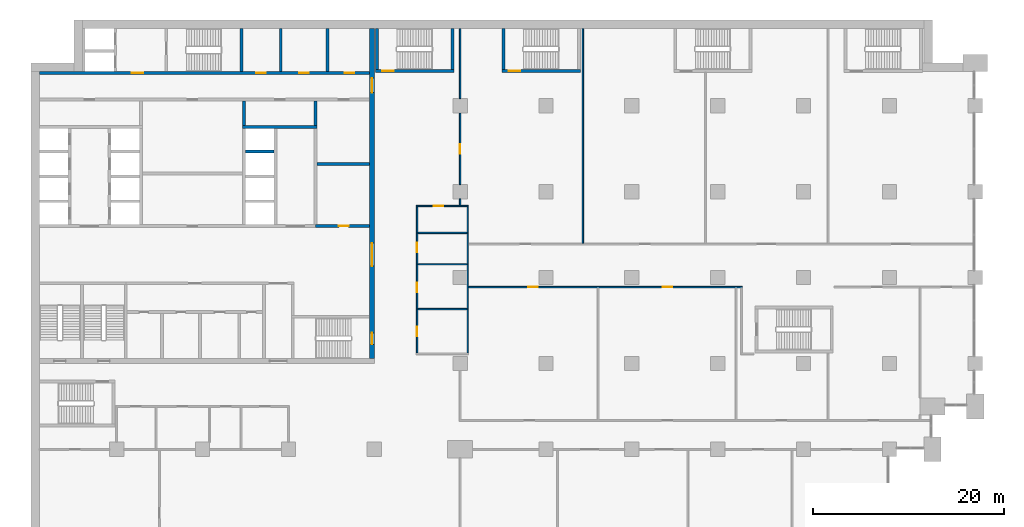
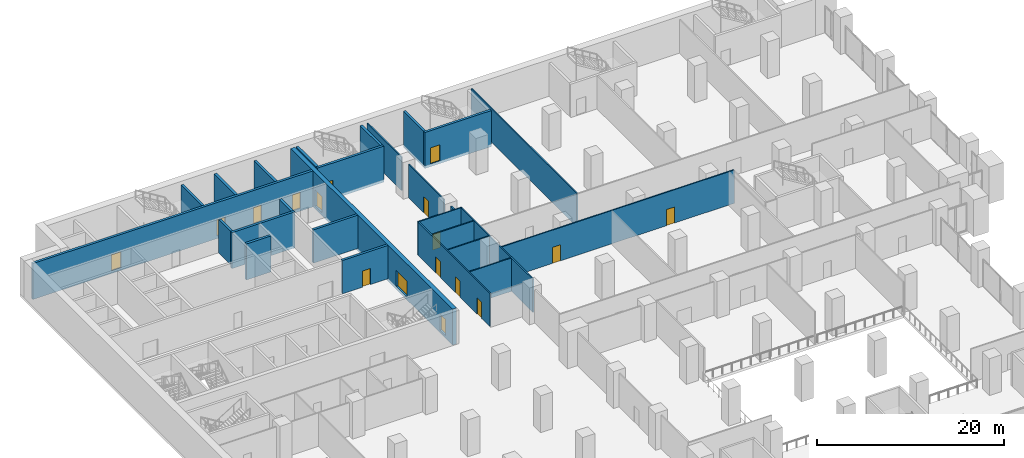
# One storey, part 17 of 32: 27 walls, 17 doors, 17 openings.
"""IFC4 building model written with IfcOpenShell, lengths in metres."""

import ifcopenshell
import ifcopenshell.guid

model = None  # the IFC model being written
_history = None  # IfcOwnerHistory: only IFC2X3 demands one
_inside = {}  # id of a spatial element -> (the spatial element, [elements in it])
_under = {}  # id of a project, library or spatial element -> (it, [spatial elements below it])
_declared = {}  # id of a project -> (the project, [libraries it declares])
_typed = {}  # id of a type object -> (the type object, [elements of that type])
_made_of = {}  # id of a material, layer set ... -> (it, [elements and type objects made of it])


def new_model(schema):
    """Start an empty IFC model of exactly this schema.

    Asked for "IFC4X3", IfcOpenShell would pick the latest addendum, in which some entities
    have other attributes; the version numbers below select the first issue.
    IFC2X3 requires an IfcOwnerHistory on every rooted entity: one is made here for all.
    """
    global model, _history
    if schema == "IFC4X3":
        model = ifcopenshell.file(schema_version=(4, 3, 0, 0))
    else:
        model = ifcopenshell.file(schema=schema)
    _inside.clear()
    _under.clear()
    _declared.clear()
    _typed.clear()
    _made_of.clear()
    _history = None
    if model.schema == "IFC2X3":
        org = make("IfcOrganization", Name="unknown")
        user = make(
            "IfcPersonAndOrganization",
            ThePerson=make("IfcPerson", FamilyName="unknown"),
            TheOrganization=org,
        )
        app = make(
            "IfcApplication",
            ApplicationDeveloper=org,
            Version="unknown",
            ApplicationFullName="unknown",
            ApplicationIdentifier="unknown",
        )
        _history = make(
            "IfcOwnerHistory",
            OwningUser=user,
            OwningApplication=app,
            ChangeAction="ADDED",
            CreationDate=0,
        )
    return model


def make(cls, **values):
    """One entity of the class cls with the attributes given. An attribute that is None is left unset."""
    return model.create_entity(
        cls, **{name: value for name, value in values.items() if value is not None}
    )


def rooted(cls, **values):
    """An entity with a GlobalId (a new one), such as an element, a storey or a relation."""
    return make(cls, GlobalId=ifcopenshell.guid.new(), OwnerHistory=_history, **values)


def si_unit(unit_type, name, prefix=None):
    """IfcSIUnit, for example si_unit("LENGTHUNIT", "METRE", prefix="MILLI")."""
    return make("IfcSIUnit", UnitType=unit_type, Prefix=prefix, Name=name)


def assignment(units):
    """IfcUnitAssignment: the units of a project."""
    return None if units is None else make("IfcUnitAssignment", Units=units)


def point(xyz):
    """IfcCartesianPoint."""
    return None if xyz is None else make("IfcCartesianPoint", Coordinates=xyz)


def direction(xyz):
    """IfcDirection."""
    return None if xyz is None else make("IfcDirection", DirectionRatios=xyz)


def frame(location, z_axis=None, x_axis=None):
    """IfcAxis2Placement3D, a coordinate frame: its origin and axes. An axis left out is left unset."""
    return make(
        "IfcAxis2Placement3D",
        Location=point(location),
        Axis=direction(z_axis),
        RefDirection=direction(x_axis),
    )


def frame_2d(location, x_axis=None):
    """IfcAxis2Placement2D, a coordinate frame in the plane: its origin and x axis."""
    return make(
        "IfcAxis2Placement2D", Location=point(location), RefDirection=direction(x_axis)
    )


def origin():
    """The frame at (0, 0, 0) with its axes left unset."""
    return frame((0.0, 0.0, 0.0))


def place(relative_to, where):
    """IfcLocalPlacement: puts the frame where relative to a parent placement (None: the world)."""
    return make(
        "IfcLocalPlacement", PlacementRelTo=relative_to, RelativePlacement=where
    )


def context(
    kind, dimensions, precision=None, world=None, true_north=None, identifier=None
):
    """IfcGeometricRepresentationContext, for example the 3D "Model" context."""
    return make(
        "IfcGeometricRepresentationContext",
        ContextIdentifier=identifier,
        ContextType=kind,
        CoordinateSpaceDimension=dimensions,
        Precision=precision,
        WorldCoordinateSystem=world,
        TrueNorth=true_north,
    )


def subcontext(parent, identifier, kind, view, scale=None):
    """IfcGeometricRepresentationSubContext, for example "Body" below "Model"."""
    return make(
        "IfcGeometricRepresentationSubContext",
        ContextIdentifier=identifier,
        ContextType=kind,
        ParentContext=parent,
        TargetScale=scale,
        TargetView=view,
    )


def project(units=None, contexts=None):
    """IfcProject with its units and contexts."""
    return rooted(
        "IfcProject",
        Name="project",
        RepresentationContexts=contexts,
        UnitsInContext=assignment(units),
    )


def spatial(cls, under=None, at=None, **own):
    """A site, building, storey or space (cls), placed at a placement, below another one or the project."""
    s = rooted(cls, ObjectPlacement=at, **own)
    if under is not None:
        _under.setdefault(under.id(), (under, []))[1].append(s)
    return s


def profile(cls, at=None, kind="AREA", **sizes):
    """A parametric profile (cls). Its sizes go by their IFC names, for example OverallWidth=200.0."""
    return make(cls, ProfileType=kind, Position=at, **sizes)


def rectangle(**sizes):
    """IfcRectangleProfileDef."""
    return profile("IfcRectangleProfileDef", **sizes)


def extrude(swept, where, along, depth):
    """IfcExtrudedAreaSolid: the profile swept, set in the frame where, extruded along a direction by depth."""
    return make(
        "IfcExtrudedAreaSolid",
        SweptArea=swept,
        Position=where,
        ExtrudedDirection=direction(along),
        Depth=depth,
    )


def shape(context_of_items, identifier, shape_type, items):
    """IfcShapeRepresentation: the items that make up one representation, for example the "Body"."""
    return make(
        "IfcShapeRepresentation",
        ContextOfItems=context_of_items,
        RepresentationIdentifier=identifier,
        RepresentationType=shape_type,
        Items=items,
    )


def material(Name=None, Category=None):
    """IfcMaterial."""
    return make("IfcMaterial", Name=Name, Category=Category)


def layer(
    of_material, thickness, ventilated=None, Name=None, Category=None, Priority=None
):
    """IfcMaterialLayer: one layer of a wall or slab, of a material (None: an air gap)."""
    return make(
        "IfcMaterialLayer",
        Material=of_material,
        LayerThickness=thickness,
        IsVentilated=ventilated,
        Name=Name,
        Category=Category,
        Priority=Priority,
    )


def layer_set(layers, Name=None):
    """IfcMaterialLayerSet."""
    return make("IfcMaterialLayerSet", MaterialLayers=layers, LayerSetName=Name)


def made_of(thing, what):
    """Note that an element or type object is made of a material, layer set ...; save() writes the relation."""
    if what is not None:
        _made_of.setdefault(what.id(), (what, []))[1].append(thing)
    return thing


def type_object(cls, material=None, **own):
    """A type object (cls), such as IfcWallType, which elements share."""
    return made_of(rooted(cls, **own), material)


def element(
    cls,
    number,
    at=None,
    inside=None,
    cuts=None,
    type_object=None,
    material=None,
    context=None,
    identifier="Body",
    shape_type=None,
    held_by="IfcProductDefinitionShape",
    body=None,
    shapes=None,
    **own,
):
    """One element of the class cls, such as IfcWall. Its Tag is "e" and its number.

    at: its placement. inside: the storey or other place that contains it. cuts: it is an
    opening in that element (IfcRelVoidsElement). A single representation is given by context,
    identifier, shape_type and body (its items); several are given by shapes. held_by: the class
    of the entity that holds the representations. save() writes the other relations.
    """
    e = rooted(cls, Tag="e%d" % number, ObjectPlacement=at, **own)
    if body is not None:
        shapes = [shape(context, identifier, shape_type, body)]
    if shapes is not None:
        e.Representation = make(held_by, Representations=shapes)
    if inside is not None:
        _inside.setdefault(inside.id(), (inside, []))[1].append(e)
    if cuts is not None:
        rooted(
            "IfcRelVoidsElement", RelatingBuildingElement=cuts, RelatedOpeningElement=e
        )
    if type_object is not None:
        _typed.setdefault(type_object.id(), (type_object, []))[1].append(e)
    return made_of(e, material)


def fill(opening, filler):
    """IfcRelFillsElement: the door or window that sits in an opening."""
    return rooted(
        "IfcRelFillsElement",
        RelatingOpeningElement=opening,
        RelatedBuildingElement=filler,
    )


def aggregate(whole, parts):
    """IfcRelAggregates: a whole, such as a stair, and the parts it consists of."""
    return rooted("IfcRelAggregates", RelatingObject=whole, RelatedObjects=parts)


def save(model, path):
    """Write the relations noted so far, then the file.

    IfcRelAggregates (storeys below a building ...), IfcRelContainedInSpatialStructure (elements
    in a storey), IfcRelDefinesByType, IfcRelAssociatesMaterial and IfcRelDeclares: one each for
    every whole, place, type object, material and project.
    """
    for whole, parts in _under.values():
        aggregate(whole, parts)
    for where, things in _inside.values():
        rooted(
            "IfcRelContainedInSpatialStructure",
            RelatedElements=things,
            RelatingStructure=where,
        )
    for kind, things in _typed.values():
        rooted("IfcRelDefinesByType", RelatedObjects=things, RelatingType=kind)
    for what, things in _made_of.values():
        rooted("IfcRelAssociatesMaterial", RelatedObjects=things, RelatingMaterial=what)
    for by, libraries in _declared.values():
        rooted("IfcRelDeclares", RelatingContext=by, RelatedDefinitions=libraries)
    model.write(path)


model = new_model("IFC4")

# Units and contexts
model_context = context("Model", 3, precision=1e-05, world=origin(), true_north=direction((0.0, 1.0)))
body_context = subcontext(model_context, "Body", "Model", "MODEL_VIEW")
ifc_project = project(units=[si_unit("LENGTHUNIT", "METRE"), si_unit("AREAUNIT", "SQUARE_METRE"), si_unit("VOLUMEUNIT", "CUBIC_METRE"), si_unit("PLANEANGLEUNIT", "RADIAN"), si_unit("MASSUNIT", "GRAM", prefix="KILO")], contexts=[model_context])

# Site, building, storey
site_placement = place(None, origin())
site = spatial("IfcSite", under=ifc_project, at=site_placement, CompositionType="ELEMENT")
building_placement = place(site_placement, origin())
building = spatial("IfcBuilding", under=site, at=building_placement, Name="Hunhe Ridgeline Campus", CompositionType="ELEMENT")
storey_placement = place(building_placement, frame((0.0, 0.0, 26.39990234375)))
storey = spatial("IfcBuildingStorey", under=building, at=storey_placement, Name="L05", CompositionType="ELEMENT", Elevation=26.39990234375)

# Walls
ifc_material_1 = material(Name="Plastered blockwork", Category="masonry")
ifc_layer_1 = layer(ifc_material_1, 0.14990234375)
ifc_layer_set_1 = layer_set([ifc_layer_1], Name="Blockwork partition 150")
wall_type_1 = type_object("IfcWallType", Name="Blockwork partition 150", PredefinedType="PARTITIONING", material=ifc_layer_set_1)
wall_1_placement = place(storey_placement, frame((40.574951171875, 68.697021484375, 0.0), z_axis=(0.0, 0.0, 1.0), x_axis=(1.0, 0.0, 0.0)))
element("IfcWall", 1, at=wall_1_placement, inside=storey, type_object=wall_type_1, Name="L05 partition", PredefinedType="PARTITIONING", context=body_context, shape_type="SweptSolid", body=[
    extrude(rectangle(XDim=5.150146484375, YDim=0.14990234375, at=frame_2d((2.5751953125, 0.0))), origin(), (0.0, 0.0, 1.0), 4.35009765625),
])
wall_2_placement = place(storey_placement, frame((45.800048828125, 79.425048828125, 0.0), z_axis=(0.0, 0.0, 1.0), x_axis=(0.0, -1.0, 0.0)))
element("IfcWall", 2, at=wall_2_placement, inside=storey, type_object=wall_type_1, Name="L05 partition", PredefinedType="PARTITIONING", context=body_context, shape_type="SweptSolid", body=[
    extrude(rectangle(XDim=15.35009765625, YDim=0.14990234375, at=frame_2d((7.675048828125, 0.0))), origin(), (0.0, 0.0, 1.0), 4.35009765625),
])

# Wall, openings, doors
wall_3_placement = place(storey_placement, frame((40.5, 64.074951171875, 0.0), z_axis=(0.0, 0.0, 1.0), x_axis=(0.0, 1.0, 0.0)))
wall_3 = element("IfcWall", 3, at=wall_3_placement, inside=storey, type_object=wall_type_1, Name="L05 partition", PredefinedType="PARTITIONING", context=body_context, shape_type="SweptSolid", body=[
    extrude(rectangle(XDim=15.35009765625, YDim=0.14990234375, at=frame_2d((7.675048828125, 0.0))), origin(), (0.0, 0.0, 1.0), 4.35009765625),
])
opening_1_placement = place(wall_3_placement, frame((1.75, 0.0, 0.0)))
opening_1 = element("IfcOpeningElement", 4, at=opening_1_placement, cuts=wall_3, Name="Opening PD604", PredefinedType="OPENING", context=body_context, shape_type="SweptSolid", body=[
    extrude(rectangle(XDim=1.0, YDim=2.10009765625, at=frame_2d((0.5, 1.050048828125))), frame((0.0, 0.074951171875, 0.0), z_axis=(0.0, -1.0, 0.0), x_axis=(1.0, 0.0, 0.0)), (0.0, 0.0, 1.0), 0.14990234375),
])
opening_2_placement = place(wall_3_placement, frame((6.3720703125, 0.0, 0.0)))
opening_2 = element("IfcOpeningElement", 5, at=opening_2_placement, cuts=wall_3, Name="Opening PD605", PredefinedType="OPENING", context=body_context, shape_type="SweptSolid", body=[
    extrude(rectangle(XDim=1.0, YDim=2.10009765625, at=frame_2d((0.5, 1.050048828125))), frame((0.0, 0.074951171875, 0.0), z_axis=(0.0, -1.0, 0.0), x_axis=(1.0, 0.0, 0.0)), (0.0, 0.0, 1.0), 0.14990234375),
])
opening_3_placement = place(wall_3_placement, frame((10.569091796875, 0.0, 0.0)))
opening_3 = element("IfcOpeningElement", 6, at=opening_3_placement, cuts=wall_3, Name="Opening PD606", PredefinedType="OPENING", context=body_context, shape_type="SweptSolid", body=[
    extrude(rectangle(XDim=1.0, YDim=2.10009765625, at=frame_2d((0.5, 1.050048828125))), frame((0.0, 0.074951171875, 0.0), z_axis=(0.0, -1.0, 0.0), x_axis=(1.0, 0.0, 0.0)), (0.0, 0.0, 1.0), 0.14990234375),
])
ifc_material_2 = material(Name="Timber", Category="wood")
door_type_1 = type_object("IfcDoorType", Name="Podium accessible WC door 1000x2100", OperationType="NOTDEFINED", PredefinedType="DOOR", material=ifc_material_2)
door_1_placement = place(opening_3_placement, origin())
door_1 = element("IfcDoor", 7, at=door_1_placement, inside=storey, type_object=door_type_1, Name="Accessible WC door", OperationType="SINGLE_SWING_RIGHT", OverallHeight=2.10009765625, OverallWidth=1.0, PredefinedType="DOOR", context=body_context, shape_type="SweptSolid", body=[
    extrude(rectangle(XDim=1.0, YDim=2.10009765625, at=frame_2d((0.5, 1.050048828125))), frame((0.0, 0.02490234375, 0.0), z_axis=(0.0, -1.0, 0.0), x_axis=(1.0, 0.0, 0.0)), (0.0, 0.0, 1.0), 0.050048828125),
])
fill(opening_3, door_1)
door_type_2 = type_object("IfcDoorType", Name="Podium timber door 1000x2100", OperationType="NOTDEFINED", PredefinedType="DOOR", material=ifc_material_2)
door_2_placement = place(opening_1_placement, origin())
door_2 = element("IfcDoor", 8, at=door_2_placement, inside=storey, type_object=door_type_2, Name="Men WC door", OperationType="SINGLE_SWING_LEFT", OverallHeight=2.10009765625, OverallWidth=1.0, PredefinedType="DOOR", context=body_context, shape_type="SweptSolid", body=[
    extrude(rectangle(XDim=1.0, YDim=2.10009765625, at=frame_2d((0.5, 1.050048828125))), frame((0.0, 0.02490234375, 0.0), z_axis=(0.0, -1.0, 0.0), x_axis=(1.0, 0.0, 0.0)), (0.0, 0.0, 1.0), 0.050048828125),
])
fill(opening_1, door_2)
door_3_placement = place(opening_2_placement, origin())
door_3 = element("IfcDoor", 9, at=door_3_placement, inside=storey, type_object=door_type_2, Name="Women WC door", OperationType="SINGLE_SWING_LEFT", OverallHeight=2.10009765625, OverallWidth=1.0, PredefinedType="DOOR", context=body_context, shape_type="SweptSolid", body=[
    extrude(rectangle(XDim=1.0, YDim=2.10009765625, at=frame_2d((0.5, 1.050048828125))), frame((0.0, 0.02490234375, 0.0), z_axis=(0.0, -1.0, 0.0), x_axis=(1.0, 0.0, 0.0)), (0.0, 0.0, 1.0), 0.050048828125),
])
fill(opening_2, door_3)

# Walls
for number, where, z_axis, x_axis, name in (
    (10, (40.574951171875, 73.39404296875, 0.0), (0.0, 0.0, 1.0), (1.0, 0.0, 0.0), "L05 partition"),
    (11, (40.574951171875, 76.681884765625, 0.0), (0.0, 0.0, 1.0), (1.0, 0.0, 0.0), "L05 partition"),
):
    element("IfcWall", number, at=place(storey_placement, frame(where, z_axis=z_axis, x_axis=x_axis)), inside=storey, type_object=wall_type_1, Name=name, PredefinedType="PARTITIONING", context=body_context, shape_type="SweptSolid", body=[
        extrude(rectangle(XDim=5.150146484375, YDim=0.14990234375, at=frame_2d((2.5751953125, 0.0))), origin(), (0.0, 0.0, 1.0), 4.35009765625),
    ])

# Wall, opening, door
wall_4_placement = place(storey_placement, frame((40.425048828125, 79.5, 0.0), z_axis=(0.0, 0.0, 1.0), x_axis=(1.0, 0.0, 0.0)))
wall_4 = element("IfcWall", 12, at=wall_4_placement, inside=storey, type_object=wall_type_1, Name="L05 partition", PredefinedType="PARTITIONING", context=body_context, shape_type="SweptSolid", body=[
    extrude(rectangle(XDim=5.449951171875, YDim=0.14990234375, at=frame_2d((2.72509765625, 0.0))), origin(), (0.0, 0.0, 1.0), 4.35009765625),
])
opening_4_placement = place(wall_4_placement, frame((1.824951171875, 0.0, 0.0)))
opening_4 = element("IfcOpeningElement", 13, at=opening_4_placement, cuts=wall_4, Name="Opening PD607", PredefinedType="OPENING", context=body_context, shape_type="SweptSolid", body=[
    extrude(rectangle(XDim=1.0, YDim=2.10009765625, at=frame_2d((0.5, 1.050048828125))), frame((0.0, 0.074951171875, 0.0), z_axis=(0.0, -1.0, 0.0), x_axis=(1.0, 0.0, 0.0)), (0.0, 0.0, 1.0), 0.14990234375),
])
door_4_placement = place(opening_4_placement, origin())
door_4 = element("IfcDoor", 14, at=door_4_placement, inside=storey, type_object=door_type_2, Name="Cleaners Store door", OperationType="SINGLE_SWING_LEFT", OverallHeight=2.10009765625, OverallWidth=1.0, PredefinedType="DOOR", context=body_context, shape_type="SweptSolid", body=[
    extrude(rectangle(XDim=1.0, YDim=2.10009765625, at=frame_2d((0.5, 1.050048828125))), frame((0.0, 0.02490234375, 0.0), z_axis=(0.0, -1.0, 0.0), x_axis=(1.0, 0.0, 0.0)), (0.0, 0.0, 1.0), 0.050048828125),
])
fill(opening_4, door_4)

# Wall
wall_5_placement = place(storey_placement, frame((45.0, 79.574951171875, 0.0), z_axis=(0.0, 0.0, 1.0), x_axis=(0.0, 1.0, 0.0)))
element("IfcWall", 15, at=wall_5_placement, inside=storey, type_object=wall_type_1, Name="L05 partition", PredefinedType="PARTITIONING", context=body_context, shape_type="SweptSolid", body=[
    extrude(rectangle(XDim=0.675048828125, YDim=0.14990234375, at=frame_2d((0.33740234375, 0.0))), origin(), (0.0, 0.0, 1.0), 4.35009765625),
])

# Wall, opening, door
wall_6_placement = place(storey_placement, frame((45.0, 81.75, 0.0), z_axis=(0.0, 0.0, 1.0), x_axis=(0.0, 1.0, 0.0)))
wall_6 = element("IfcWall", 16, at=wall_6_placement, inside=storey, type_object=wall_type_1, Name="L05 partition", PredefinedType="PARTITIONING", context=body_context, shape_type="SweptSolid", body=[
    extrude(rectangle(XDim=7.5, YDim=0.14990234375, at=frame_2d((3.75, 0.0))), origin(), (0.0, 0.0, 1.0), 4.35009765625),
])
opening_5_placement = place(wall_6_placement, frame((3.25, 0.0, 0.0)))
opening_5 = element("IfcOpeningElement", 17, at=opening_5_placement, cuts=wall_6, Name="Opening PD635", PredefinedType="OPENING", context=body_context, shape_type="SweptSolid", body=[
    extrude(rectangle(XDim=1.0, YDim=2.10009765625, at=frame_2d((0.5, 1.050048828125))), frame((0.0, 0.074951171875, 0.0), z_axis=(0.0, -1.0, 0.0), x_axis=(1.0, 0.0, 0.0)), (0.0, 0.0, 1.0), 0.14990234375),
])
door_5_placement = place(opening_5_placement, origin())
door_5 = element("IfcDoor", 18, at=door_5_placement, inside=storey, type_object=door_type_2, Name="Archive Store door", OperationType="SINGLE_SWING_RIGHT", OverallHeight=2.10009765625, OverallWidth=1.0, PredefinedType="DOOR", context=body_context, shape_type="SweptSolid", body=[
    extrude(rectangle(XDim=1.0, YDim=2.10009765625, at=frame_2d((0.5, 1.050048828125))), frame((0.0, 0.02490234375, 0.0), z_axis=(0.0, -1.0, 0.0), x_axis=(1.0, 0.0, 0.0)), (0.0, 0.0, 1.0), 0.050048828125),
])
fill(opening_5, door_5)

# Wall
wall_7_placement = place(storey_placement, frame((45.0, 90.75, 0.0), z_axis=(0.0, 0.0, 1.0), x_axis=(0.0, 1.0, 0.0)))
element("IfcWall", 19, at=wall_7_placement, inside=storey, type_object=wall_type_1, Name="L05 partition", PredefinedType="PARTITIONING", context=body_context, shape_type="SweptSolid", body=[
    extrude(rectangle(XDim=7.35009765625, YDim=0.14990234375, at=frame_2d((3.675048828125, 0.0))), origin(), (0.0, 0.0, 1.0), 4.35009765625),
])

# Wall, openings, doors
wall_8_placement = place(storey_placement, frame((45.875, 71.0, 0.0), z_axis=(0.0, 0.0, 1.0), x_axis=(1.0, 0.0, 0.0)))
wall_8 = element("IfcWall", 20, at=wall_8_placement, inside=storey, type_object=wall_type_1, Name="L05 partition", PredefinedType="PARTITIONING", context=body_context, shape_type="SweptSolid", body=[
    extrude(rectangle(XDim=28.699951171875, YDim=0.14990234375, at=frame_2d((14.35009765625, 0.0))), origin(), (0.0, 0.0, 1.0), 4.35009765625),
])
opening_6_placement = place(wall_8_placement, frame((6.25, 0.0, 0.0)))
opening_6 = element("IfcOpeningElement", 21, at=opening_6_placement, cuts=wall_8, Name="Opening PD623", PredefinedType="OPENING", context=body_context, shape_type="SweptSolid", body=[
    extrude(rectangle(XDim=1.0, YDim=2.10009765625, at=frame_2d((0.5, 1.050048828125))), frame((0.0, 0.074951171875, 0.0), z_axis=(0.0, -1.0, 0.0), x_axis=(1.0, 0.0, 0.0)), (0.0, 0.0, 1.0), 0.14990234375),
])
opening_7_placement = place(wall_8_placement, frame((20.339111328125, 0.0, 0.0)))
opening_7 = element("IfcOpeningElement", 22, at=opening_7_placement, cuts=wall_8, Name="Opening PD625", PredefinedType="OPENING", context=body_context, shape_type="SweptSolid", body=[
    extrude(rectangle(XDim=1.0, YDim=2.10009765625, at=frame_2d((0.5, 1.050048828125))), frame((0.0, 0.074951171875, 0.0), z_axis=(0.0, -1.0, 0.0), x_axis=(1.0, 0.0, 0.0)), (0.0, 0.0, 1.0), 0.14990234375),
])
door_6_placement = place(opening_6_placement, origin())
door_6 = element("IfcDoor", 23, at=door_6_placement, inside=storey, type_object=door_type_2, Name="Archive Store door", OperationType="SINGLE_SWING_LEFT", OverallHeight=2.10009765625, OverallWidth=1.0, PredefinedType="DOOR", context=body_context, shape_type="SweptSolid", body=[
    extrude(rectangle(XDim=1.0, YDim=2.10009765625, at=frame_2d((0.5, 1.050048828125))), frame((0.0, 0.02490234375, 0.0), z_axis=(0.0, -1.0, 0.0), x_axis=(1.0, 0.0, 0.0)), (0.0, 0.0, 1.0), 0.050048828125),
])
fill(opening_6, door_6)
door_7_placement = place(opening_7_placement, origin())
door_7 = element("IfcDoor", 24, at=door_7_placement, inside=storey, type_object=door_type_2, Name="Archive Store door", OperationType="SINGLE_SWING_RIGHT", OverallHeight=2.10009765625, OverallWidth=1.0, PredefinedType="DOOR", context=body_context, shape_type="SweptSolid", body=[
    extrude(rectangle(XDim=1.0, YDim=2.10009765625, at=frame_2d((0.5, 1.050048828125))), frame((0.0, 0.02490234375, 0.0), z_axis=(0.0, -1.0, 0.0), x_axis=(1.0, 0.0, 0.0)), (0.0, 0.0, 1.0), 0.050048828125),
])
fill(opening_7, door_7)

# Wall
wall_9_placement = place(storey_placement, frame((57.85693359375, 75.574951171875, 0.0), z_axis=(0.0, 0.0, 1.0), x_axis=(0.0, 1.0, 0.0)))
element("IfcWall", 25, at=wall_9_placement, inside=storey, type_object=wall_type_1, Name="L05 partition", PredefinedType="PARTITIONING", context=body_context, shape_type="SweptSolid", body=[
    extrude(rectangle(XDim=22.525146484375, YDim=0.14990234375, at=frame_2d((11.2626953125, 0.0))), origin(), (0.0, 0.0, 1.0), 4.35009765625),
])

# Wall, opening, door
ifc_material_3 = material(Name="Masonry concrete blockwork", Category="masonry")
ifc_layer_2 = layer(ifc_material_3, 0.300048828125)
ifc_layer_set_2 = layer_set([ifc_layer_2], Name="Core room partition 300 concrete block")
wall_type_2 = type_object("IfcWallType", Name="Core room partition 300 concrete block", PredefinedType="PARTITIONING", material=ifc_layer_set_2)
wall_10_placement = place(storey_placement, frame((29.85009765625, 77.39990234375, 0.0), z_axis=(0.0, 0.0, 1.0), x_axis=(1.0, 0.0, 0.0)))
wall_10 = element("IfcWall", 26, at=wall_10_placement, inside=storey, type_object=wall_type_2, Name="L05 core partition 15", PredefinedType="PARTITIONING", context=body_context, shape_type="SweptSolid", body=[
    extrude(rectangle(XDim=5.64990234375, YDim=0.300048828125, at=frame_2d((2.824951171875, 0.0))), origin(), (0.0, 0.0, 1.0), 4.35009765625),
])
opening_8_placement = place(wall_10_placement, frame((2.449951171875, 0.0, 0.0)))
opening_8 = element("IfcOpeningElement", 27, at=opening_8_placement, cuts=wall_10, Name="Opening CD32", PredefinedType="OPENING", context=body_context, shape_type="SweptSolid", body=[
    extrude(rectangle(XDim=1.0, YDim=2.10009765625, at=frame_2d((0.5, 1.050048828125))), frame((0.0, 0.14990234375, 0.0), z_axis=(0.0, -1.0, 0.0), x_axis=(1.0, 0.0, 0.0)), (0.0, 0.0, 1.0), 0.300048828125),
])
ifc_material_4 = material(Name="Solid core timber door leaf", Category="wood")
door_type_3 = type_object("IfcDoorType", Name="Timber door 1000x2100", OperationType="SINGLE_SWING_LEFT", PredefinedType="DOOR", material=ifc_material_4)
door_8_placement = place(opening_8_placement, origin())
door_8 = element("IfcDoor", 28, at=door_8_placement, inside=storey, type_object=door_type_3, Name="L05 door ES0", OperationType="SINGLE_SWING_RIGHT", OverallHeight=2.10009765625, OverallWidth=1.0, PredefinedType="DOOR", context=body_context, shape_type="SweptSolid", body=[
    extrude(rectangle(XDim=1.0, YDim=2.10009765625, at=frame_2d((0.5, 1.050048828125))), frame((0.0, 0.02490234375, 0.0), z_axis=(0.0, -1.0, 0.0), x_axis=(1.0, 0.0, 0.0)), (0.0, 0.0, 1.0), 0.050048828125),
])
fill(opening_8, door_8)

# Walls
wall_11_placement = place(storey_placement, frame((30.0, 83.89990234375, 0.0), z_axis=(0.0, 0.0, 1.0), x_axis=(1.0, 0.0, 0.0)))
element("IfcWall", 29, at=wall_11_placement, inside=storey, type_object=wall_type_2, Name="L05 core partition 23", PredefinedType="PARTITIONING", context=body_context, shape_type="SweptSolid", body=[
    extrude(rectangle(XDim=5.5, YDim=0.300048828125, at=frame_2d((2.75, 0.0))), origin(), (0.0, 0.0, 1.0), 4.35009765625),
])
wall_12_placement = place(storey_placement, frame((22.35009765625, 87.949951171875, 0.0), z_axis=(0.0, 0.0, 1.0), x_axis=(0.0, 1.0, 0.0)))
element("IfcWall", 30, at=wall_12_placement, inside=storey, type_object=wall_type_2, Name="L05 core partition 53", PredefinedType="PARTITIONING", context=body_context, shape_type="SweptSolid", body=[
    extrude(rectangle(XDim=2.550048828125, YDim=0.300048828125, at=frame_2d((1.27490234375, 0.0))), origin(), (0.0, 0.0, 1.0), 4.35009765625),
])
wall_13_placement = place(storey_placement, frame((26.199951171875, 93.60009765625, 0.0), z_axis=(0.0, 0.0, 1.0), x_axis=(0.0, 1.0, 0.0)))
element("IfcWall", 31, at=wall_13_placement, inside=storey, type_object=wall_type_2, Name="L05 core partition 57", PredefinedType="PARTITIONING", context=body_context, shape_type="SweptSolid", body=[
    extrude(rectangle(XDim=4.5, YDim=0.300048828125, at=frame_2d((2.25, 0.0))), origin(), (0.0, 0.0, 1.0), 4.35009765625),
])
wall_14_placement = place(storey_placement, frame((29.85009765625, 87.949951171875, 0.0), z_axis=(0.0, 0.0, 1.0), x_axis=(0.0, 1.0, 0.0)))
element("IfcWall", 32, at=wall_14_placement, inside=storey, type_object=wall_type_2, Name="L05 core partition 61", PredefinedType="PARTITIONING", context=body_context, shape_type="SweptSolid", body=[
    extrude(rectangle(XDim=2.550048828125, YDim=0.300048828125, at=frame_2d((1.27490234375, 0.0))), origin(), (0.0, 0.0, 1.0), 4.35009765625),
])
wall_15_placement = place(storey_placement, frame((31.10009765625, 93.60009765625, 0.0), z_axis=(0.0, 0.0, 1.0), x_axis=(0.0, 1.0, 0.0)))
element("IfcWall", 33, at=wall_15_placement, inside=storey, type_object=wall_type_2, Name="L05 core partition 62", PredefinedType="PARTITIONING", context=body_context, shape_type="SweptSolid", body=[
    extrude(rectangle(XDim=4.5, YDim=0.300048828125, at=frame_2d((2.25, 0.0))), origin(), (0.0, 0.0, 1.0), 4.35009765625),
])

# Wall, openings, doors
ifc_material_5 = material(Name="Concrete C80", Category="concrete")
ifc_layer_3 = layer(ifc_material_5, 0.5)
ifc_layer_set_3 = layer_set([ifc_layer_3], Name="Core wall 500 reinforced concrete C80")
wall_type_3 = type_object("IfcWallType", Name="Core wall 500 reinforced concrete C80", PredefinedType="SOLIDWALL", material=ifc_layer_set_3)
wall_16_placement = place(storey_placement, frame((35.75, 63.5, -0.349853515625), z_axis=(0.0, 0.0, 1.0), x_axis=(0.0, 1.0, 0.0)))
wall_16 = element("IfcWall", 34, at=wall_16_placement, inside=storey, type_object=wall_type_3, Name="L05 core wall 63", PredefinedType="SOLIDWALL", context=body_context, shape_type="SweptSolid", body=[
    extrude(rectangle(XDim=34.60009765625, YDim=0.5, at=frame_2d((17.300048828125, 0.0))), origin(), (0.0, 0.0, 1.0), 4.699951171875),
])
opening_9_placement = place(wall_16_placement, frame((9.699951171875, 0.0, 0.35009765625)))
opening_9 = element("IfcOpeningElement", 35, at=opening_9_placement, cuts=wall_16, Name="Opening CD4", PredefinedType="OPENING", context=body_context, shape_type="SweptSolid", body=[
    extrude(rectangle(XDim=2.39990234375, YDim=2.10009765625, at=frame_2d((1.199951171875, 1.050048828125))), frame((0.0, 0.25, 0.0), z_axis=(0.0, -1.0, 0.0), x_axis=(1.0, 0.0, 0.0)), (0.0, 0.0, 1.0), 0.5),
])
opening_10_placement = place(wall_16_placement, frame((27.89990234375, 0.0, 0.35009765625)))
opening_10 = element("IfcOpeningElement", 36, at=opening_10_placement, cuts=wall_16, Name="Opening CD5", PredefinedType="OPENING", context=body_context, shape_type="SweptSolid", body=[
    extrude(rectangle(XDim=1.5, YDim=2.10009765625, at=frame_2d((0.75, 1.050048828125))), frame((0.0, 0.25, 0.0), z_axis=(0.0, -1.0, 0.0), x_axis=(1.0, 0.0, 0.0)), (0.0, 0.0, 1.0), 0.5),
])
opening_11_placement = place(wall_16_placement, frame((1.5, 0.0, 0.35009765625)))
opening_11 = element("IfcOpeningElement", 37, at=opening_11_placement, cuts=wall_16, Name="Opening CD15", PredefinedType="OPENING", context=body_context, shape_type="SweptSolid", body=[
    extrude(rectangle(XDim=1.199951171875, YDim=2.10009765625, at=frame_2d((0.60009765625, 1.050048828125))), frame((0.0, 0.25, 0.0), z_axis=(0.0, -1.0, 0.0), x_axis=(1.0, 0.0, 0.0)), (0.0, 0.0, 1.0), 0.5),
])
ifc_material_6 = material(Name="Anodised aluminium and glass", Category="aluminium")
door_type_4 = type_object("IfcDoorType", Name="Glazed double door 2400x2100", OperationType="DOUBLE_DOOR_SINGLE_SWING", PredefinedType="DOOR", material=ifc_material_6)
door_9_placement = place(opening_9_placement, frame((2.39990234375, 0.0, 0.0), z_axis=(0.0, 0.0, 1.0), x_axis=(-1.0, 0.0, 0.0)))
door_9 = element("IfcDoor", 38, at=door_9_placement, inside=storey, type_object=door_type_4, Name="L05 door HALL-FLOOR", OperationType="DOUBLE_DOOR_SINGLE_SWING", OverallHeight=2.10009765625, OverallWidth=2.39990234375, PredefinedType="DOOR", context=body_context, shape_type="SweptSolid", body=[
    extrude(rectangle(XDim=2.39990234375, YDim=2.10009765625, at=frame_2d((1.199951171875, 1.050048828125))), frame((0.0, 0.02490234375, 0.0), z_axis=(0.0, -1.0, 0.0), x_axis=(1.0, 0.0, 0.0)), (0.0, 0.0, 1.0), 0.050048828125),
])
fill(opening_9, door_9)
ifc_material_7 = material(Name="Hollow metal fire door leaf")
door_type_5 = type_object("IfcDoorType", Name="Stair door 1200x2100 FD60", OperationType="SINGLE_SWING_LEFT", PredefinedType="DOOR", material=ifc_material_7)
door_10_placement = place(opening_11_placement, frame((1.199951171875, 0.0, 0.0), z_axis=(0.0, 0.0, 1.0), x_axis=(-1.0, 0.0, 0.0)))
door_10 = element("IfcDoor", 39, at=door_10_placement, inside=storey, type_object=door_type_5, Name="L05 door S2-FLOOR", OperationType="SINGLE_SWING_RIGHT", OverallHeight=2.10009765625, OverallWidth=1.199951171875, PredefinedType="DOOR", context=body_context, shape_type="SweptSolid", body=[
    extrude(rectangle(XDim=1.199951171875, YDim=2.10009765625, at=frame_2d((0.60009765625, 1.050048828125))), frame((0.0, 0.02490234375, 0.0), z_axis=(0.0, -1.0, 0.0), x_axis=(1.0, 0.0, 0.0)), (0.0, 0.0, 1.0), 0.050048828125),
])
fill(opening_11, door_10)
door_type_6 = type_object("IfcDoorType", Name="Timber door 1500x2100", OperationType="SINGLE_SWING_LEFT", PredefinedType="DOOR", material=ifc_material_4)
door_11_placement = place(opening_10_placement, frame((1.5, 0.0, 0.0), z_axis=(0.0, 0.0, 1.0), x_axis=(-1.0, 0.0, 0.0)))
door_11 = element("IfcDoor", 40, at=door_11_placement, inside=storey, type_object=door_type_6, Name="L05 door C1-FLOOR", OperationType="SINGLE_SWING_RIGHT", OverallHeight=2.10009765625, OverallWidth=1.5, PredefinedType="DOOR", context=body_context, shape_type="SweptSolid", body=[
    extrude(rectangle(XDim=1.5, YDim=2.10009765625, at=frame_2d((0.75, 1.050048828125))), frame((0.0, 0.02490234375, 0.0), z_axis=(0.0, -1.0, 0.0), x_axis=(1.0, 0.0, 0.0)), (0.0, 0.0, 1.0), 0.050048828125),
])
fill(opening_10, door_11)

# Walls
ifc_layer_4 = layer(ifc_material_5, 0.300048828125)
ifc_layer_set_4 = layer_set([ifc_layer_4], Name="Shaft wall 300 reinforced concrete C80")
wall_type_4 = type_object("IfcWallType", Name="Shaft wall 300 reinforced concrete C80", PredefinedType="SOLIDWALL", material=ifc_layer_set_4)
wall_17_placement = place(storey_placement, frame((22.5, 85.199951171875, -0.349853515625), z_axis=(0.0, 0.0, 1.0), x_axis=(1.0, 0.0, 0.0)))
element("IfcWall", 41, at=wall_17_placement, inside=storey, type_object=wall_type_4, Name="L05 core wall 26", PredefinedType="SOLIDWALL", context=body_context, shape_type="SweptSolid", body=[
    extrude(rectangle(XDim=3.0, YDim=0.300048828125, at=frame_2d((1.5, 0.0))), origin(), (0.0, 0.0, 1.0), 4.699951171875),
])
wall_18_placement = place(storey_placement, frame((22.199951171875, 87.800048828125, -0.349853515625), z_axis=(0.0, 0.0, 1.0), x_axis=(1.0, 0.0, 0.0)))
element("IfcWall", 42, at=wall_18_placement, inside=storey, type_object=wall_type_4, Name="L05 core wall 28", PredefinedType="SOLIDWALL", context=body_context, shape_type="SweptSolid", body=[
    extrude(rectangle(XDim=7.800048828125, YDim=0.300048828125, at=frame_2d((3.89990234375, 0.0))), origin(), (0.0, 0.0, 1.0), 4.699951171875),
])

# Wall, openings, doors
wall_19_placement = place(storey_placement, frame((0.89990234375, 93.449951171875, -0.349853515625), z_axis=(0.0, 0.0, 1.0), x_axis=(1.0, 0.0, 0.0)))
wall_19 = element("IfcWall", 43, at=wall_19_placement, inside=storey, type_object=wall_type_4, Name="L05 core wall 30", PredefinedType="SOLIDWALL", context=body_context, shape_type="SweptSolid", body=[
    extrude(rectangle(XDim=34.60009765625, YDim=0.300048828125, at=frame_2d((17.300048828125, 0.0))), origin(), (0.0, 0.0, 1.0), 4.699951171875),
])
opening_12_placement = place(wall_19_placement, frame((9.699951171875, 0.0, 0.35009765625)))
opening_12 = element("IfcOpeningElement", 44, at=opening_12_placement, cuts=wall_19, Name="Opening CD3", PredefinedType="OPENING", context=body_context, shape_type="SweptSolid", body=[
    extrude(rectangle(XDim=1.199951171875, YDim=2.10009765625, at=frame_2d((0.60009765625, 1.050048828125))), frame((0.0, 0.14990234375, 0.0), z_axis=(0.0, -1.0, 0.0), x_axis=(1.0, 0.0, 0.0)), (0.0, 0.0, 1.0), 0.300048828125),
])
opening_13_placement = place(wall_19_placement, frame((22.75, 0.0, 0.35009765625)))
opening_13 = element("IfcOpeningElement", 45, at=opening_13_placement, cuts=wall_19, Name="Opening CD34", PredefinedType="OPENING", context=body_context, shape_type="SweptSolid", body=[
    extrude(rectangle(XDim=1.0, YDim=2.10009765625, at=frame_2d((0.5, 1.050048828125))), frame((0.0, 0.14990234375, 0.0), z_axis=(0.0, -1.0, 0.0), x_axis=(1.0, 0.0, 0.0)), (0.0, 0.0, 1.0), 0.300048828125),
])
opening_14_placement = place(wall_19_placement, frame((27.25, 0.0, 0.35009765625)))
opening_14 = element("IfcOpeningElement", 46, at=opening_14_placement, cuts=wall_19, Name="Opening CD35", PredefinedType="OPENING", context=body_context, shape_type="SweptSolid", body=[
    extrude(rectangle(XDim=1.0, YDim=2.10009765625, at=frame_2d((0.5, 1.050048828125))), frame((0.0, 0.14990234375, 0.0), z_axis=(0.0, -1.0, 0.0), x_axis=(1.0, 0.0, 0.0)), (0.0, 0.0, 1.0), 0.300048828125),
])
opening_15_placement = place(wall_19_placement, frame((32.02490234375, 0.0, 0.35009765625)))
opening_15 = element("IfcOpeningElement", 47, at=opening_15_placement, cuts=wall_19, Name="Opening CD36", PredefinedType="OPENING", context=body_context, shape_type="SweptSolid", body=[
    extrude(rectangle(XDim=1.0, YDim=2.10009765625, at=frame_2d((0.5, 1.050048828125))), frame((0.0, 0.14990234375, 0.0), z_axis=(0.0, -1.0, 0.0), x_axis=(1.0, 0.0, 0.0)), (0.0, 0.0, 1.0), 0.300048828125),
])
door_type_7 = type_object("IfcDoorType", Name="Lobby door 1200x2100 FD60", OperationType="SINGLE_SWING_LEFT", PredefinedType="DOOR", material=ifc_material_7)
door_12_placement = place(opening_12_placement, frame((1.199951171875, 0.0, 0.0), z_axis=(0.0, 0.0, 1.0), x_axis=(-1.0, 0.0, 0.0)))
door_12 = element("IfcDoor", 48, at=door_12_placement, inside=storey, type_object=door_type_7, Name="L05 door FF-C1", OperationType="SINGLE_SWING_LEFT", OverallHeight=2.10009765625, OverallWidth=1.199951171875, PredefinedType="DOOR", context=body_context, shape_type="SweptSolid", body=[
    extrude(rectangle(XDim=1.199951171875, YDim=2.10009765625, at=frame_2d((0.60009765625, 1.050048828125))), frame((0.0, 0.02490234375, 0.0), z_axis=(0.0, -1.0, 0.0), x_axis=(1.0, 0.0, 0.0)), (0.0, 0.0, 1.0), 0.050048828125),
])
fill(opening_12, door_12)
door_13_placement = place(opening_13_placement, origin())
door_13 = element("IfcDoor", 49, at=door_13_placement, inside=storey, type_object=door_type_3, Name="L05 door NB0", OperationType="SINGLE_SWING_RIGHT", OverallHeight=2.10009765625, OverallWidth=1.0, PredefinedType="DOOR", context=body_context, shape_type="SweptSolid", body=[
    extrude(rectangle(XDim=1.0, YDim=2.10009765625, at=frame_2d((0.5, 1.050048828125))), frame((0.0, 0.02490234375, 0.0), z_axis=(0.0, -1.0, 0.0), x_axis=(1.0, 0.0, 0.0)), (0.0, 0.0, 1.0), 0.050048828125),
])
fill(opening_13, door_13)
door_14_placement = place(opening_14_placement, origin())
door_14 = element("IfcDoor", 50, at=door_14_placement, inside=storey, type_object=door_type_3, Name="L05 door NB1", OperationType="SINGLE_SWING_LEFT", OverallHeight=2.10009765625, OverallWidth=1.0, PredefinedType="DOOR", context=body_context, shape_type="SweptSolid", body=[
    extrude(rectangle(XDim=1.0, YDim=2.10009765625, at=frame_2d((0.5, 1.050048828125))), frame((0.0, 0.02490234375, 0.0), z_axis=(0.0, -1.0, 0.0), x_axis=(1.0, 0.0, 0.0)), (0.0, 0.0, 1.0), 0.050048828125),
])
fill(opening_14, door_14)
door_15_placement = place(opening_15_placement, origin())
door_15 = element("IfcDoor", 51, at=door_15_placement, inside=storey, type_object=door_type_3, Name="L05 door NB2", OperationType="SINGLE_SWING_RIGHT", OverallHeight=2.10009765625, OverallWidth=1.0, PredefinedType="DOOR", context=body_context, shape_type="SweptSolid", body=[
    extrude(rectangle(XDim=1.0, YDim=2.10009765625, at=frame_2d((0.5, 1.050048828125))), frame((0.0, 0.02490234375, 0.0), z_axis=(0.0, -1.0, 0.0), x_axis=(1.0, 0.0, 0.0)), (0.0, 0.0, 1.0), 0.050048828125),
])
fill(opening_15, door_15)

# Wall, opening, door
ifc_layer_5 = layer(ifc_material_5, 0.300048828125)
ifc_layer_set_5 = layer_set([ifc_layer_5], Name="Stair wall 300 reinforced concrete C80")
wall_type_5 = type_object("IfcWallType", Name="Stair wall 300 reinforced concrete C80", PredefinedType="SOLIDWALL", material=ifc_layer_set_5)
wall_20_placement = place(storey_placement, frame((36.14990234375, 93.64990234375, -0.349853515625), z_axis=(0.0, 0.0, 1.0), x_axis=(1.0, 0.0, 0.0)))
wall_20 = element("IfcWall", 52, at=wall_20_placement, inside=storey, type_object=wall_type_5, Name="L05 core wall 31", PredefinedType="SOLIDWALL", context=body_context, shape_type="SweptSolid", body=[
    extrude(rectangle(XDim=8.2001953125, YDim=0.300048828125, at=frame_2d((4.10009765625, 0.0))), origin(), (0.0, 0.0, 1.0), 4.699951171875),
])
opening_16_placement = place(wall_20_placement, frame((0.699951171875, 0.0, 0.35009765625)))
opening_16 = element("IfcOpeningElement", 53, at=opening_16_placement, cuts=wall_20, Name="Opening CD17", PredefinedType="OPENING", context=body_context, shape_type="SweptSolid", body=[
    extrude(rectangle(XDim=1.199951171875, YDim=2.10009765625, at=frame_2d((0.60009765625, 1.050048828125))), frame((0.0, 0.14990234375, 0.0), z_axis=(0.0, -1.0, 0.0), x_axis=(1.0, 0.0, 0.0)), (0.0, 0.0, 1.0), 0.300048828125),
])
door_16_placement = place(opening_16_placement, frame((1.199951171875, 0.0, 0.0), z_axis=(0.0, 0.0, 1.0), x_axis=(-1.0, 0.0, 0.0)))
door_16 = element("IfcDoor", 54, at=door_16_placement, inside=storey, type_object=door_type_5, Name="L05 door E1", OperationType="SINGLE_SWING_RIGHT", OverallHeight=2.10009765625, OverallWidth=1.199951171875, PredefinedType="DOOR", context=body_context, shape_type="SweptSolid", body=[
    extrude(rectangle(XDim=1.199951171875, YDim=2.10009765625, at=frame_2d((0.60009765625, 1.050048828125))), frame((0.0, 0.02490234375, 0.0), z_axis=(0.0, -1.0, 0.0), x_axis=(1.0, 0.0, 0.0)), (0.0, 0.0, 1.0), 0.050048828125),
])
fill(opening_16, door_16)

wall_21_placement = place(storey_placement, frame((49.39990234375, 93.64990234375, -0.349853515625), z_axis=(0.0, 0.0, 1.0), x_axis=(1.0, 0.0, 0.0)))
wall_21 = element("IfcWall", 55, at=wall_21_placement, inside=storey, type_object=wall_type_5, Name="L05 core wall 32", PredefinedType="SOLIDWALL", context=body_context, shape_type="SweptSolid", body=[
    extrude(rectangle(XDim=8.2001953125, YDim=0.300048828125, at=frame_2d((4.10009765625, 0.0))), origin(), (0.0, 0.0, 1.0), 4.699951171875),
])
opening_17_placement = place(wall_21_placement, frame((0.699951171875, 0.0, 0.35009765625)))
opening_17 = element("IfcOpeningElement", 56, at=opening_17_placement, cuts=wall_21, Name="Opening CD18", PredefinedType="OPENING", context=body_context, shape_type="SweptSolid", body=[
    extrude(rectangle(XDim=1.199951171875, YDim=2.10009765625, at=frame_2d((0.60009765625, 1.050048828125))), frame((0.0, 0.14990234375, 0.0), z_axis=(0.0, -1.0, 0.0), x_axis=(1.0, 0.0, 0.0)), (0.0, 0.0, 1.0), 0.300048828125),
])
door_17_placement = place(opening_17_placement, frame((1.199951171875, 0.0, 0.0), z_axis=(0.0, 0.0, 1.0), x_axis=(-1.0, 0.0, 0.0)))
door_17 = element("IfcDoor", 57, at=door_17_placement, inside=storey, type_object=door_type_5, Name="L05 door E2", OperationType="SINGLE_SWING_LEFT", OverallHeight=2.10009765625, OverallWidth=1.199951171875, PredefinedType="DOOR", context=body_context, shape_type="SweptSolid", body=[
    extrude(rectangle(XDim=1.199951171875, YDim=2.10009765625, at=frame_2d((0.60009765625, 1.050048828125))), frame((0.0, 0.02490234375, 0.0), z_axis=(0.0, -1.0, 0.0), x_axis=(1.0, 0.0, 0.0)), (0.0, 0.0, 1.0), 0.050048828125),
])
fill(opening_17, door_17)

# Walls
wall_22_placement = place(storey_placement, frame((22.10009765625, 93.60009765625, -0.349853515625), z_axis=(0.0, 0.0, 1.0), x_axis=(0.0, 1.0, 0.0)))
element("IfcWall", 58, at=wall_22_placement, inside=storey, type_object=wall_type_5, Name="L05 core wall 51", PredefinedType="SOLIDWALL", context=body_context, shape_type="SweptSolid", body=[
    extrude(rectangle(XDim=4.5, YDim=0.300048828125, at=frame_2d((2.25, 0.0))), origin(), (0.0, 0.0, 1.0), 4.699951171875),
])
for number, where, z_axis, x_axis, name in (
    (59, (36.300048828125, 93.800048828125, -0.349853515625), (0.0, 0.0, 1.0), (0.0, 1.0, 0.0), "L05 core wall 64"),
    (60, (44.199951171875, 93.800048828125, -0.349853515625), (0.0, 0.0, 1.0), (0.0, 1.0, 0.0), "L05 core wall 65"),
    (61, (49.550048828125, 93.800048828125, -0.349853515625), (0.0, 0.0, 1.0), (0.0, 1.0, 0.0), "L05 core wall 66"),
):
    element("IfcWall", number, at=place(storey_placement, frame(where, z_axis=z_axis, x_axis=x_axis)), inside=storey, type_object=wall_type_5, Name=name, PredefinedType="SOLIDWALL", context=body_context, shape_type="SweptSolid", body=[
        extrude(rectangle(XDim=4.300048828125, YDim=0.300048828125, at=frame_2d((2.14990234375, 0.0))), origin(), (0.0, 0.0, 1.0), 4.699951171875),
    ])

save(model, "model.ifc")
